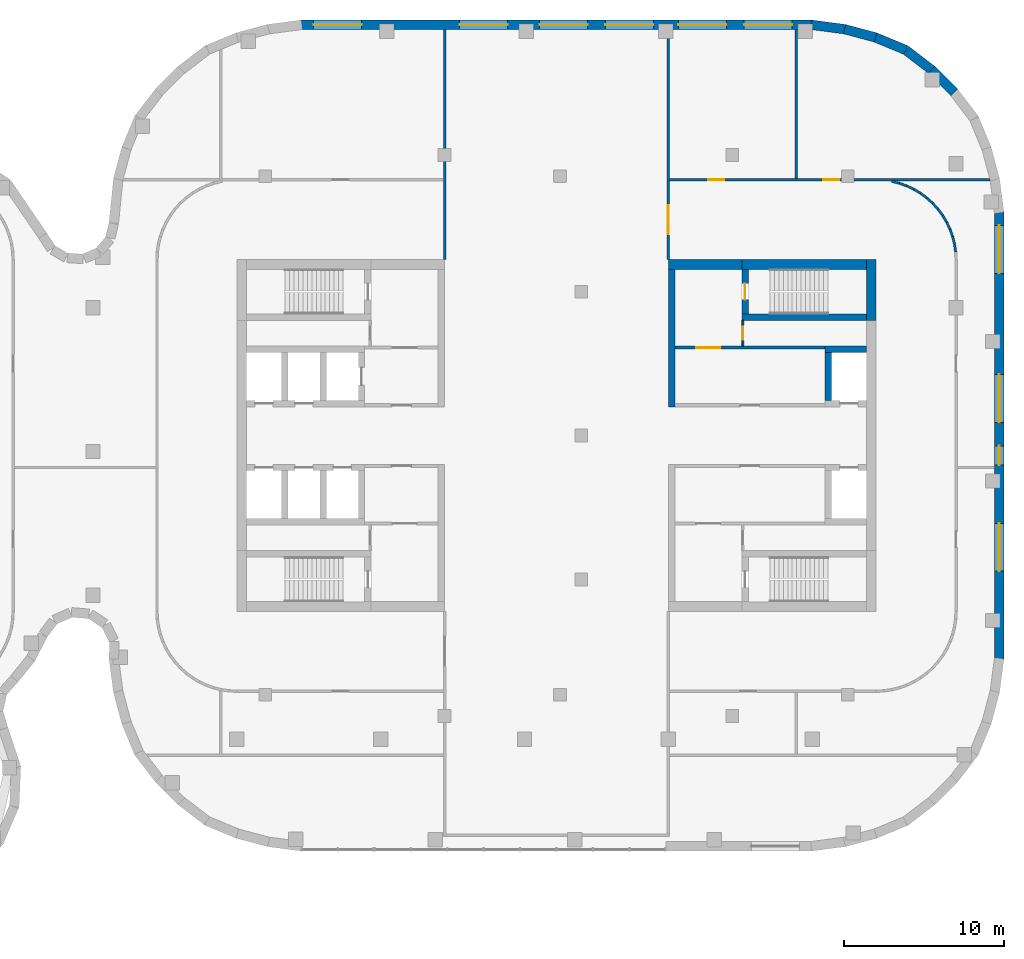
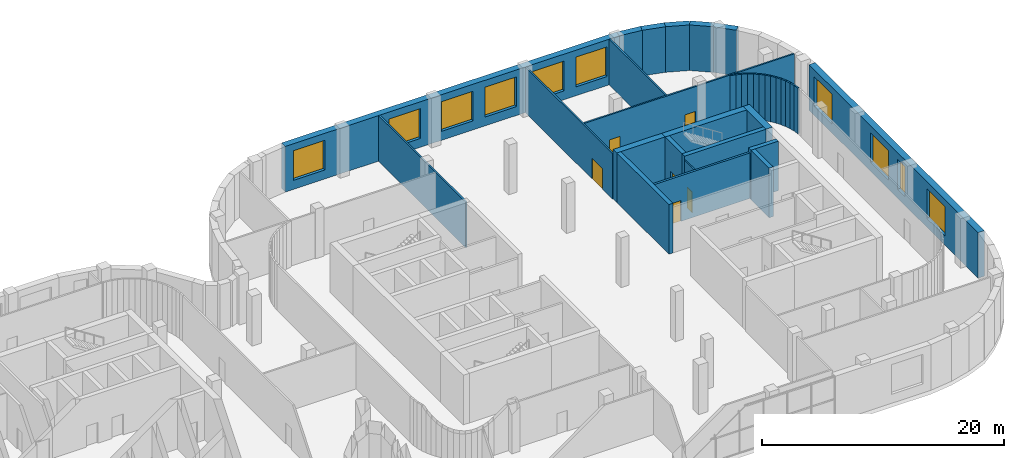
# One storey, part 21 of 25: 34 walls, 10 windows, 6 doors, 16 openings.
"""IFC4 building model written with IfcOpenShell, lengths in metres."""

from ifc_helpers import new_model, si_unit, direction, frame, frame_2d, origin, place, context, subcontext, project, spatial, rectangle, extrude, material, layer, layer_set, type_object, element, fill, save


model = new_model("IFC4")

# Units and contexts
model_context = context("Model", 3, precision=1e-05, world=origin(), true_north=direction((0.0, 1.0)))
body_context = subcontext(model_context, "Body", "Model", "MODEL_VIEW")
ifc_project = project(units=[si_unit("LENGTHUNIT", "METRE"), si_unit("AREAUNIT", "SQUARE_METRE"), si_unit("VOLUMEUNIT", "CUBIC_METRE"), si_unit("PLANEANGLEUNIT", "RADIAN"), si_unit("MASSUNIT", "GRAM", prefix="KILO")], contexts=[model_context])

# Site, building, storey
site_placement = place(None, origin())
site = spatial("IfcSite", under=ifc_project, at=site_placement, CompositionType="ELEMENT")
building_placement = place(site_placement, origin())
building = spatial("IfcBuilding", under=site, at=building_placement, Name="Skarvind Civic Tower", CompositionType="ELEMENT")
storey_placement = place(building_placement, frame((0.0, 0.0, 7.5)))
storey = spatial("IfcBuildingStorey", under=building, at=storey_placement, Name="L01", CompositionType="ELEMENT", Elevation=7.5)

# Wall, opening, door
ifc_material_1 = material(Name="Fire-rated masonry partition", Category="masonry")
ifc_layer_1 = layer(ifc_material_1, 0.199951171875)
ifc_layer_set_1 = layer_set([ifc_layer_1], Name="Core enclosure wall 200")
wall_type_1 = type_object("IfcWallType", Name="Core enclosure wall 200", PredefinedType="PARTITIONING", material=ifc_layer_set_1)
wall_1_placement = place(storey_placement, frame((154.39990234375, 133.5, 0.0), z_axis=(0.0, 0.0, 1.0), x_axis=(1.0, 0.0, 0.0)))
wall_1 = element("IfcWall", 1, at=wall_1_placement, inside=storey, type_object=wall_type_1, Name="Core wall CB", PredefinedType="PARTITIONING", context=body_context, shape_type="SweptSolid", body=[
    extrude(rectangle(XDim=9.400146484375, YDim=0.199951171875, at=frame_2d((4.7001953125, 0.0))), origin(), (0.0, 0.0, 1.0), 4.60009765625),
])
opening_1_placement = place(wall_1_placement, frame((1.35009765625, 0.0, 0.0)))
opening_1 = element("IfcOpeningElement", 2, at=opening_1_placement, cuts=wall_1, Name="Opening D-L01-CB-08", PredefinedType="OPENING", context=body_context, shape_type="SweptSolid", body=[
    extrude(rectangle(XDim=1.5, YDim=2.10009765625, at=frame_2d((0.75, 1.050048828125))), frame((0.0, 0.10986328125, 0.0), z_axis=(0.0, -1.0, 0.0), x_axis=(1.0, 0.0, 0.0)), (0.0, 0.0, 1.0), 0.219970703125),
])
ifc_material_2 = material(Name="Fire-rated steel door", Category="steel")
door_type_1 = type_object("IfcDoorType", Name="Fire door 1500", OperationType="NOTDEFINED", PredefinedType="DOOR", material=ifc_material_2)
door_1_placement = place(opening_1_placement, origin())
door_1 = element("IfcDoor", 3, at=door_1_placement, inside=storey, type_object=door_type_1, Name="Fire door", OperationType="DOUBLE_DOOR_SINGLE_SWING", OverallHeight=2.10009765625, OverallWidth=1.5, PredefinedType="DOOR", context=body_context, shape_type="SweptSolid", body=[
    extrude(rectangle(XDim=1.5, YDim=2.10009765625, at=frame_2d((0.75, 1.050048828125))), frame((0.0, 0.02490234375, 0.0), z_axis=(0.0, -1.0, 0.0), x_axis=(1.0, 0.0, 0.0)), (0.0, 0.0, 1.0), 0.050048828125),
])
fill(opening_1, door_1)

# Wall
ifc_material_3 = material(Name="Concrete C80", Category="concrete")
ifc_layer_2 = layer(ifc_material_3, 0.39990234375)
ifc_layer_set_2 = layer_set([ifc_layer_2], Name="Core wall 400 C80")
wall_type_2 = type_object("IfcWallType", Name="Core wall 400 C80", PredefinedType="SHEAR", material=ifc_layer_set_2)
wall_2_placement = place(storey_placement, frame((166.39990234375, 135.39990234375, 0.0), z_axis=(0.0, 0.0, 1.0), x_axis=(-1.0, 0.0, 0.0)))
element("IfcWall", 4, at=wall_2_placement, inside=storey, type_object=wall_type_2, Name="Core wall CB south stair inner L01", PredefinedType="SHEAR", context=body_context, shape_type="SweptSolid", body=[
    extrude(rectangle(XDim=7.7998046875, YDim=0.39990234375, at=frame_2d((3.89990234375, 0.0))), origin(), (0.0, 0.0, 1.0), 5.0),
])

# Wall, opening, door
wall_3_placement = place(storey_placement, frame((158.800048828125, 138.39990234375, 0.0), z_axis=(0.0, 0.0, 1.0), x_axis=(0.0, -1.0, 0.0)))
wall_3 = element("IfcWall", 5, at=wall_3_placement, inside=storey, type_object=wall_type_2, Name="Core wall CB south stair end L01", PredefinedType="SHEAR", context=body_context, shape_type="SweptSolid", body=[
    extrude(rectangle(XDim=2.7998046875, YDim=0.39990234375, at=frame_2d((1.39990234375, 0.0))), origin(), (0.0, 0.0, 1.0), 5.0),
])
opening_2_placement = place(wall_3_placement, frame((0.89990234375, 0.0, 0.0)))
opening_2 = element("IfcOpeningElement", 6, at=opening_2_placement, cuts=wall_3, Name="Opening D-L01-CB-09", PredefinedType="OPENING", context=body_context, shape_type="SweptSolid", body=[
    extrude(rectangle(XDim=1.0, YDim=2.10009765625, at=frame_2d((0.5, 1.050048828125))), frame((0.0, 0.2099609375, 0.0), z_axis=(0.0, -1.0, 0.0), x_axis=(1.0, 0.0, 0.0)), (0.0, 0.0, 1.0), 0.419921875),
])
door_type_2 = type_object("IfcDoorType", Name="Fire door 1000", OperationType="NOTDEFINED", PredefinedType="DOOR", material=ifc_material_2)
door_2_placement = place(opening_2_placement, origin())
door_2 = element("IfcDoor", 7, at=door_2_placement, inside=storey, type_object=door_type_2, Name="Fire door", OperationType="SINGLE_SWING_RIGHT", OverallHeight=2.10009765625, OverallWidth=1.0, PredefinedType="DOOR", context=body_context, shape_type="SweptSolid", body=[
    extrude(rectangle(XDim=1.0, YDim=2.10009765625, at=frame_2d((0.5, 1.050048828125))), frame((0.0, 0.02490234375, 0.0), z_axis=(0.0, -1.0, 0.0), x_axis=(1.0, 0.0, 0.0)), (0.0, 0.0, 1.0), 0.050048828125),
])
fill(opening_2, door_2)

# Walls
wall_4_placement = place(storey_placement, frame((166.39990234375, 133.39990234375, 0.0), z_axis=(0.0, 0.0, 1.0), x_axis=(-1.0, 0.0, 0.0)))
element("IfcWall", 8, at=wall_4_placement, inside=storey, type_object=wall_type_2, Name="Core wall CB south lift row back L01", PredefinedType="SHEAR", context=body_context, shape_type="SweptSolid", body=[
    extrude(rectangle(XDim=2.599853515625, YDim=0.39990234375, at=frame_2d((1.2998046875, 0.0))), origin(), (0.0, 0.0, 1.0), 5.0),
])
wall_5_placement = place(storey_placement, frame((164.0, 133.199951171875, 0.0), z_axis=(0.0, 0.0, 1.0), x_axis=(0.0, -1.0, 0.0)))
element("IfcWall", 9, at=wall_5_placement, inside=storey, type_object=wall_type_2, Name="Core wall CB south lift row division 1 L01", PredefinedType="SHEAR", context=body_context, shape_type="SweptSolid", body=[
    extrude(rectangle(XDim=3.0, YDim=0.39990234375, at=frame_2d((1.5, 0.0))), origin(), (0.0, 0.0, 1.0), 5.0),
])
wall_6_placement = place(storey_placement, frame((154.199951171875, 138.39990234375, 0.0), z_axis=(0.0, 0.0, 1.0), x_axis=(0.0, -1.0, 0.0)))
element("IfcWall", 10, at=wall_6_placement, inside=storey, type_object=wall_type_2, Name="Core wall CB south inner face L01", PredefinedType="SHEAR", context=body_context, shape_type="SweptSolid", body=[
    extrude(rectangle(XDim=8.599853515625, YDim=0.39990234375, at=frame_2d((4.2998046875, 0.0))), origin(), (0.0, 0.0, 1.0), 5.0),
])
ifc_layer_3 = layer(ifc_material_3, 0.60009765625)
ifc_layer_set_3 = layer_set([ifc_layer_3], Name="Core wall 600 C80")
wall_type_3 = type_object("IfcWallType", Name="Core wall 600 C80", PredefinedType="SHEAR", material=ifc_layer_set_3)
wall_7_placement = place(storey_placement, frame((166.699951171875, 139.0, 0.0), z_axis=(0.0, 0.0, 1.0), x_axis=(0.0, -1.0, 0.0)))
element("IfcWall", 11, at=wall_7_placement, inside=storey, type_object=wall_type_3, Name="Core wall CB tip at the south stair L01", PredefinedType="SHEAR", context=body_context, shape_type="SweptSolid", body=[
    extrude(rectangle(XDim=3.800048828125, YDim=0.60009765625, at=frame_2d((1.89990234375, 0.0))), origin(), (0.0, 0.0, 1.0), 5.0),
])
wall_8_placement = place(storey_placement, frame((166.39990234375, 138.699951171875, 0.0), z_axis=(0.0, 0.0, 1.0), x_axis=(-1.0, 0.0, 0.0)))
element("IfcWall", 12, at=wall_8_placement, inside=storey, type_object=wall_type_3, Name="Core wall CB south side at the stair L01", PredefinedType="SHEAR", context=body_context, shape_type="SweptSolid", body=[
    extrude(rectangle(XDim=7.7998046875, YDim=0.60009765625, at=frame_2d((3.89990234375, 0.0))), origin(), (0.0, 0.0, 1.0), 5.0),
])
wall_9_placement = place(storey_placement, frame((158.60009765625, 138.699951171875, 0.0), z_axis=(0.0, 0.0, 1.0), x_axis=(-1.0, 0.0, 0.0)))
element("IfcWall", 13, at=wall_9_placement, inside=storey, type_object=wall_type_3, Name="Core wall CB south side L01", PredefinedType="SHEAR", context=body_context, shape_type="SweptSolid", body=[
    extrude(rectangle(XDim=4.60009765625, YDim=0.60009765625, at=frame_2d((2.300048828125, 0.0))), origin(), (0.0, 0.0, 1.0), 5.0),
])
ifc_material_4 = material(Name="Plasterboard partition on steel studs", Category="steel")
ifc_layer_4 = layer(ifc_material_4, 0.14990234375)
ifc_layer_set_4 = layer_set([ifc_layer_4], Name="PARTITION 150")
wall_type_4 = type_object("IfcWallType", Name="PARTITION 150", PredefinedType="PARTITIONING", material=ifc_layer_set_4)
wall_10_placement = place(storey_placement, frame((140.0, 139.0, 0.0), z_axis=(0.0, 0.0, 1.0), x_axis=(0.0, 1.0, 0.0)))
element("IfcWall", 14, at=wall_10_placement, inside=storey, type_object=wall_type_4, Name="Podium partition L01 237", PredefinedType="PARTITIONING", context=body_context, shape_type="SweptSolid", body=[
    extrude(rectangle(XDim=14.39990234375, YDim=0.14990234375, at=frame_2d((7.199951171875, 0.0))), origin(), (0.0, 0.0, 1.0), 4.60009765625),
])

# Wall, opening, door
wall_11_placement = place(storey_placement, frame((154.0, 153.39990234375, 0.0), z_axis=(0.0, 0.0, 1.0), x_axis=(0.0, -1.0, 0.0)))
wall_11 = element("IfcWall", 15, at=wall_11_placement, inside=storey, type_object=wall_type_4, Name="Podium partition L01 241", PredefinedType="PARTITIONING", context=body_context, shape_type="SweptSolid", body=[
    extrude(rectangle(XDim=14.39990234375, YDim=0.14990234375, at=frame_2d((7.199951171875, 0.0))), origin(), (0.0, 0.0, 1.0), 4.60009765625),
])
opening_3_placement = place(wall_11_placement, frame((11.0, 0.0, 0.0)))
opening_3 = element("IfcOpeningElement", 16, at=opening_3_placement, cuts=wall_11, Name="Opening L01-D231", PredefinedType="OPENING", context=body_context, shape_type="SweptSolid", body=[
    extrude(rectangle(XDim=1.800048828125, YDim=2.10009765625, at=frame_2d((0.89990234375, 1.050048828125))), frame((0.0, 0.0849609375, 0.0), z_axis=(0.0, -1.0, 0.0), x_axis=(1.0, 0.0, 0.0)), (0.0, 0.0, 1.0), 0.169921875),
])
ifc_material_5 = material(Name="Timber veneer door leaf", Category="wood")
door_type_3 = type_object("IfcDoorType", Name="DOOR 1800X2100 DOUBLE TIMBER", OperationType="NOTDEFINED", PredefinedType="DOOR", material=ifc_material_5)
door_3_placement = place(opening_3_placement, origin())
door_3 = element("IfcDoor", 17, at=door_3_placement, inside=storey, type_object=door_type_3, Name="DOOR DOOR", OperationType="DOUBLE_DOOR_SINGLE_SWING", OverallHeight=2.10009765625, OverallWidth=1.800048828125, PredefinedType="DOOR", context=body_context, shape_type="SweptSolid", body=[
    extrude(rectangle(XDim=1.800048828125, YDim=2.10009765625, at=frame_2d((0.89990234375, 1.050048828125))), frame((0.0, 0.02490234375, 0.0), z_axis=(0.0, -1.0, 0.0), x_axis=(1.0, 0.0, 0.0)), (0.0, 0.0, 1.0), 0.050048828125),
])
fill(opening_3, door_3)

# Wall, openings, doors
wall_12_placement = place(storey_placement, frame((154.074951171875, 144.0, 0.0), z_axis=(0.0, 0.0, 1.0), x_axis=(1.0, 0.0, 0.0)))
wall_12 = element("IfcWall", 18, at=wall_12_placement, inside=storey, type_object=wall_type_4, Name="Podium partition L01 242", PredefinedType="PARTITIONING", context=body_context, shape_type="SweptSolid", body=[
    extrude(rectangle(XDim=20.050048828125, YDim=0.14990234375, at=frame_2d((10.02490234375, 0.0))), origin(), (0.0, 0.0, 1.0), 4.60009765625),
])
opening_4_placement = place(wall_12_placement, frame((2.427001953125, 0.0, 0.0)))
opening_4 = element("IfcOpeningElement", 19, at=opening_4_placement, cuts=wall_12, Name="Opening L01-D232", PredefinedType="OPENING", context=body_context, shape_type="SweptSolid", body=[
    extrude(rectangle(XDim=1.0, YDim=2.10009765625, at=frame_2d((0.5, 1.050048828125))), frame((0.0, 0.0849609375, 0.0), z_axis=(0.0, -1.0, 0.0), x_axis=(1.0, 0.0, 0.0)), (0.0, 0.0, 1.0), 0.169921875),
])
opening_5_placement = place(wall_12_placement, frame((9.623046875, 0.0, 0.0)))
opening_5 = element("IfcOpeningElement", 20, at=opening_5_placement, cuts=wall_12, Name="Opening L01-D234", PredefinedType="OPENING", context=body_context, shape_type="SweptSolid", body=[
    extrude(rectangle(XDim=1.0, YDim=2.10009765625, at=frame_2d((0.5, 1.050048828125))), frame((0.0, 0.0849609375, 0.0), z_axis=(0.0, -1.0, 0.0), x_axis=(1.0, 0.0, 0.0)), (0.0, 0.0, 1.0), 0.169921875),
])
door_type_4 = type_object("IfcDoorType", Name="DOOR 1000X2100 TIMBER", OperationType="NOTDEFINED", PredefinedType="DOOR", material=ifc_material_5)
door_4_placement = place(opening_4_placement, origin())
door_4 = element("IfcDoor", 21, at=door_4_placement, inside=storey, type_object=door_type_4, Name="DOOR DOOR", OperationType="SINGLE_SWING_LEFT", OverallHeight=2.10009765625, OverallWidth=1.0, PredefinedType="DOOR", context=body_context, shape_type="SweptSolid", body=[
    extrude(rectangle(XDim=1.0, YDim=2.10009765625, at=frame_2d((0.5, 1.050048828125))), frame((0.0, 0.02490234375, 0.0), z_axis=(0.0, -1.0, 0.0), x_axis=(1.0, 0.0, 0.0)), (0.0, 0.0, 1.0), 0.050048828125),
])
fill(opening_4, door_4)
door_5_placement = place(opening_5_placement, origin())
door_5 = element("IfcDoor", 22, at=door_5_placement, inside=storey, type_object=door_type_4, Name="DOOR DOOR", OperationType="SINGLE_SWING_LEFT", OverallHeight=2.10009765625, OverallWidth=1.0, PredefinedType="DOOR", context=body_context, shape_type="SweptSolid", body=[
    extrude(rectangle(XDim=1.0, YDim=2.10009765625, at=frame_2d((0.5, 1.050048828125))), frame((0.0, 0.02490234375, 0.0), z_axis=(0.0, -1.0, 0.0), x_axis=(1.0, 0.0, 0.0)), (0.0, 0.0, 1.0), 0.050048828125),
])
fill(opening_5, door_5)

# Walls
wall_13_placement = place(storey_placement, frame((162.0, 144.074951171875, 0.0), z_axis=(0.0, 0.0, 1.0), x_axis=(0.0, 1.0, 0.0)))
element("IfcWall", 23, at=wall_13_placement, inside=storey, type_object=wall_type_4, Name="Podium partition L01 244", PredefinedType="PARTITIONING", context=body_context, shape_type="SweptSolid", body=[
    extrude(rectangle(XDim=9.324951171875, YDim=0.14990234375, at=frame_2d((4.66259765625, 0.0))), origin(), (0.0, 0.0, 1.0), 4.60009765625),
])
wall_14_placement = place(storey_placement, frame((167.970947265625, 143.905029296875, 0.0), z_axis=(0.0, 0.0, 1.0), x_axis=(0.970113715952, -0.242650732785, 0.0)))
element("IfcWall", 24, at=wall_14_placement, inside=storey, type_object=wall_type_4, Name="Podium partition L01 251", PredefinedType="PARTITIONING", context=body_context, shape_type="SweptSolid", body=[
    extrude(rectangle(XDim=0.4990234375, YDim=0.14990234375, at=frame_2d((0.24951171875, 0.0))), origin(), (0.0, 0.0, 1.0), 4.60009765625),
])
for number, where, z_axis, x_axis, name in (
    (25, (168.447021484375, 143.785888671875, 0.0), (0.0, 0.0, 1.0), (0.941442168887, -0.3371744988, 0.0), "Podium partition L01 253"),
    (26, (168.909912109375, 143.62109375, 0.0), (0.0, 0.0, 1.0), (0.903827641978, -0.427896709028, 0.0), "Podium partition L01 255"),
):
    element("IfcWall", number, at=place(storey_placement, frame(where, z_axis=z_axis, x_axis=x_axis)), inside=storey, type_object=wall_type_4, Name=name, PredefinedType="PARTITIONING", context=body_context, shape_type="SweptSolid", body=[
        extrude(rectangle(XDim=0.498046875, YDim=0.14990234375, at=frame_2d((0.2490234375, 0.0))), origin(), (0.0, 0.0, 1.0), 4.60009765625),
    ])
wall_15_placement = place(storey_placement, frame((169.35400390625, 143.412109375, 0.0), z_axis=(0.0, 0.0, 1.0), x_axis=(0.85671397893, -0.515791778052, 0.0)))
element("IfcWall", 27, at=wall_15_placement, inside=storey, type_object=wall_type_4, Name="Podium partition L01 257", PredefinedType="PARTITIONING", context=body_context, shape_type="SweptSolid", body=[
    extrude(rectangle(XDim=0.49853515625, YDim=0.14990234375, at=frame_2d((0.249267578125, 0.0))), origin(), (0.0, 0.0, 1.0), 4.60009765625),
])
wall_16_placement = place(storey_placement, frame((169.77490234375, 143.158935546875, 0.0), z_axis=(0.0, 0.0, 1.0), x_axis=(0.80404358372, -0.594570362092, 0.0)))
element("IfcWall", 28, at=wall_16_placement, inside=storey, type_object=wall_type_4, Name="Podium partition L01 259", PredefinedType="PARTITIONING", context=body_context, shape_type="SweptSolid", body=[
    extrude(rectangle(XDim=0.49755859375, YDim=0.14990234375, at=frame_2d((0.248779296875, 0.0))), origin(), (0.0, 0.0, 1.0), 4.60009765625),
])
for number, where, z_axis, x_axis, name in (
    (29, (170.1689453125, 142.866943359375, 0.0), (0.0, 0.0, 1.0), (0.742416880587, -0.66993818776, 0.0), "Podium partition L01 261"),
    (30, (170.532958984375, 142.5390625, 0.0), (0.0, 0.0, 1.0), (0.66993818776, -0.742416880587, 0.0), "Podium partition L01 263"),
):
    element("IfcWall", number, at=place(storey_placement, frame(where, z_axis=z_axis, x_axis=x_axis)), inside=storey, type_object=wall_type_4, Name=name, PredefinedType="PARTITIONING", context=body_context, shape_type="SweptSolid", body=[
        extrude(rectangle(XDim=0.49853515625, YDim=0.14990234375, at=frame_2d((0.249267578125, 0.0))), origin(), (0.0, 0.0, 1.0), 4.60009765625),
    ])
wall_17_placement = place(storey_placement, frame((170.863037109375, 142.175048828125, 0.0), z_axis=(0.0, 0.0, 1.0), x_axis=(0.594570362092, -0.80404358372, 0.0)))
element("IfcWall", 31, at=wall_17_placement, inside=storey, type_object=wall_type_4, Name="Podium partition L01 265", PredefinedType="PARTITIONING", context=body_context, shape_type="SweptSolid", body=[
    extrude(rectangle(XDim=0.49755859375, YDim=0.14990234375, at=frame_2d((0.248779296875, 0.0))), origin(), (0.0, 0.0, 1.0), 4.60009765625),
])
wall_18_placement = place(storey_placement, frame((171.155029296875, 141.781005859375, 0.0), z_axis=(0.0, 0.0, 1.0), x_axis=(0.515791778052, -0.85671397893, 0.0)))
element("IfcWall", 32, at=wall_18_placement, inside=storey, type_object=wall_type_4, Name="Podium partition L01 267", PredefinedType="PARTITIONING", context=body_context, shape_type="SweptSolid", body=[
    extrude(rectangle(XDim=0.49853515625, YDim=0.14990234375, at=frame_2d((0.249267578125, 0.0))), origin(), (0.0, 0.0, 1.0), 4.60009765625),
])
for number, where, z_axis, x_axis, name in (
    (33, (171.407958984375, 141.360107421875, 0.0), (0.0, 0.0, 1.0), (0.427896709028, -0.903827641978, 0.0), "Podium partition L01 269"),
    (34, (171.617919921875, 140.916015625, 0.0), (0.0, 0.0, 1.0), (0.3371744988, -0.941442168887, 0.0), "Podium partition L01 271"),
):
    element("IfcWall", number, at=place(storey_placement, frame(where, z_axis=z_axis, x_axis=x_axis)), inside=storey, type_object=wall_type_4, Name=name, PredefinedType="PARTITIONING", context=body_context, shape_type="SweptSolid", body=[
        extrude(rectangle(XDim=0.498046875, YDim=0.14990234375, at=frame_2d((0.2490234375, 0.0))), origin(), (0.0, 0.0, 1.0), 4.60009765625),
    ])
wall_19_placement = place(storey_placement, frame((171.783935546875, 140.455078125, 0.0), z_axis=(0.0, 0.0, 1.0), x_axis=(0.242650732785, -0.970113715952, 0.0)))
element("IfcWall", 35, at=wall_19_placement, inside=storey, type_object=wall_type_4, Name="Podium partition L01 273", PredefinedType="PARTITIONING", context=body_context, shape_type="SweptSolid", body=[
    extrude(rectangle(XDim=0.4990234375, YDim=0.14990234375, at=frame_2d((0.24951171875, 0.0))), origin(), (0.0, 0.0, 1.0), 4.60009765625),
])
wall_20_placement = place(storey_placement, frame((171.903076171875, 139.97900390625, 0.0), z_axis=(0.0, 0.0, 1.0), x_axis=(0.148412307247, -0.988925572052, 0.0)))
element("IfcWall", 36, at=wall_20_placement, inside=storey, type_object=wall_type_4, Name="Podium partition L01 275", PredefinedType="PARTITIONING", context=body_context, shape_type="SweptSolid", body=[
    extrude(rectangle(XDim=0.49853515625, YDim=0.14990234375, at=frame_2d((0.249267578125, 0.0))), origin(), (0.0, 0.0, 1.0), 4.60009765625),
])

# Wall, opening, door
ifc_layer_5 = layer(ifc_material_1, 0.125)
ifc_layer_set_5 = layer_set([ifc_layer_5], Name="Riser wall 125")
wall_type_5 = type_object("IfcWallType", Name="Riser wall 125", PredefinedType="PARTITIONING", material=ifc_layer_set_5)
wall_21_placement = place(storey_placement, frame((158.66259765625, 133.60009765625, 0.0), z_axis=(0.0, 0.0, 1.0), x_axis=(0.0, 1.0, 0.0)))
wall_21 = element("IfcWall", 37, at=wall_21_placement, inside=storey, type_object=wall_type_5, Name="Core wall CB", PredefinedType="PARTITIONING", context=body_context, shape_type="SweptSolid", body=[
    extrude(rectangle(XDim=1.599853515625, YDim=0.125, at=frame_2d((0.7998046875, 0.0))), origin(), (0.0, 0.0, 1.0), 4.60009765625),
])
opening_6_placement = place(wall_21_placement, frame((0.39990234375, 0.0, 0.0)))
opening_6 = element("IfcOpeningElement", 38, at=opening_6_placement, cuts=wall_21, Name="Opening D-L01-CB-10", PredefinedType="OPENING", context=body_context, shape_type="SweptSolid", body=[
    extrude(rectangle(XDim=0.800048828125, YDim=2.10009765625, at=frame_2d((0.39990234375, 1.050048828125))), frame((0.0, 0.072509765625, 0.0), z_axis=(0.0, -1.0, 0.0), x_axis=(1.0, 0.0, 0.0)), (0.0, 0.0, 1.0), 0.14501953125),
])
door_type_5 = type_object("IfcDoorType", Name="Core riser door 800", OperationType="NOTDEFINED", PredefinedType="DOOR", material=ifc_material_2)
door_6_placement = place(opening_6_placement, origin())
door_6 = element("IfcDoor", 39, at=door_6_placement, inside=storey, type_object=door_type_5, Name="Riser door", OperationType="SINGLE_SWING_LEFT", OverallHeight=2.10009765625, OverallWidth=0.800048828125, PredefinedType="DOOR", context=body_context, shape_type="SweptSolid", body=[
    extrude(rectangle(XDim=0.800048828125, YDim=2.10009765625, at=frame_2d((0.39990234375, 1.050048828125))), frame((0.0, 0.02490234375, 0.0), z_axis=(0.0, -1.0, 0.0), x_axis=(1.0, 0.0, 0.0)), (0.0, 0.0, 1.0), 0.050048828125),
])
fill(opening_6, door_6)

# Wall, openings, windows
ifc_material_6 = material(Name="Limestone masonry cladding on insulated backing", Category="masonry")
ifc_layer_6 = layer(ifc_material_6, 0.60009765625)
ifc_layer_set_6 = layer_set([ifc_layer_6], Name="WX1 STONE FACADE WALL 600")
wall_type_6 = type_object("IfcWallType", Name="WX1 STONE FACADE WALL 600", PredefinedType="SOLIDWALL", material=ifc_layer_set_6)
wall_22_placement = place(storey_placement, frame((174.699951171875, 141.978271484375, 0.0), z_axis=(0.0, 0.0, 1.0), x_axis=(0.0, -1.0, 0.0)))
wall_22 = element("IfcWall", 40, at=wall_22_placement, inside=storey, type_object=wall_type_6, Name="STONE FACADE WALL", PredefinedType="SOLIDWALL", context=body_context, shape_type="SweptSolid", body=[
    extrude(rectangle(XDim=27.95654296875, YDim=0.60009765625, at=frame_2d((13.978271484375, 0.0))), origin(), (0.0, 0.0, 1.0), 4.60009765625),
])
opening_7_placement = place(wall_22_placement, frame((0.82958984375, 0.0, 0.89990234375)))
opening_7 = element("IfcOpeningElement", 41, at=opening_7_placement, cuts=wall_22, Name="Opening WN2", PredefinedType="OPENING", context=body_context, shape_type="SweptSolid", body=[
    extrude(rectangle(XDim=3.0, YDim=3.0, at=frame_2d((1.5, 1.5))), frame((0.0, 0.31005859375, 0.0), z_axis=(0.0, -1.0, 0.0), x_axis=(1.0, 0.0, 0.0)), (0.0, 0.0, 1.0), 0.6201171875),
])
opening_8_placement = place(wall_22_placement, frame((10.1484375, 0.0, 0.89990234375)))
opening_8 = element("IfcOpeningElement", 42, at=opening_8_placement, cuts=wall_22, Name="Opening WN2", PredefinedType="OPENING", context=body_context, shape_type="SweptSolid", body=[
    extrude(rectangle(XDim=3.0, YDim=3.0, at=frame_2d((1.5, 1.5))), frame((0.0, 0.31005859375, 0.0), z_axis=(0.0, -1.0, 0.0), x_axis=(1.0, 0.0, 0.0)), (0.0, 0.0, 1.0), 0.6201171875),
])
opening_9_placement = place(wall_22_placement, frame((14.628173828125, 0.0, 0.89990234375)))
opening_9 = element("IfcOpeningElement", 43, at=opening_9_placement, cuts=wall_22, Name="Opening WN6", PredefinedType="OPENING", context=body_context, shape_type="SweptSolid", body=[
    extrude(rectangle(XDim=1.199951171875, YDim=3.0, at=frame_2d((0.60009765625, 1.5))), frame((0.0, 0.31005859375, 0.0), z_axis=(0.0, -1.0, 0.0), x_axis=(1.0, 0.0, 0.0)), (0.0, 0.0, 1.0), 0.6201171875),
])
opening_10_placement = place(wall_22_placement, frame((19.46728515625, 0.0, 0.89990234375)))
opening_10 = element("IfcOpeningElement", 44, at=opening_10_placement, cuts=wall_22, Name="Opening WN2", PredefinedType="OPENING", context=body_context, shape_type="SweptSolid", body=[
    extrude(rectangle(XDim=3.0, YDim=3.0, at=frame_2d((1.5, 1.5))), frame((0.0, 0.31005859375, 0.0), z_axis=(0.0, -1.0, 0.0), x_axis=(1.0, 0.0, 0.0)), (0.0, 0.0, 1.0), 0.6201171875),
])
ifc_material_7 = material(Name="Timber frame, double glazing, timber-lined reveal", Category="wood")
window_type_1 = type_object("IfcWindowType", Name="WN2 PODIUM STONE WINDOW 3000 x 3000", PartitioningType="SINGLE_PANEL", PredefinedType="WINDOW", material=ifc_material_7)
window_1_placement = place(opening_7_placement, origin())
window_1 = element("IfcWindow", 45, at=window_1_placement, inside=storey, type_object=window_type_1, Name="WN2 WINDOW", OverallHeight=3.0, OverallWidth=3.0, PartitioningType="SINGLE_PANEL", PredefinedType="WINDOW", context=body_context, shape_type="SweptSolid", body=[
    extrude(rectangle(XDim=3.0, YDim=3.0, at=frame_2d((1.5, 1.5))), frame((0.0, 0.030029296875, 0.0), z_axis=(0.0, -1.0, 0.0), x_axis=(1.0, 0.0, 0.0)), (0.0, 0.0, 1.0), 0.06005859375),
])
fill(opening_7, window_1)
window_2_placement = place(opening_8_placement, origin())
window_2 = element("IfcWindow", 46, at=window_2_placement, inside=storey, type_object=window_type_1, Name="WN2 WINDOW", OverallHeight=3.0, OverallWidth=3.0, PartitioningType="SINGLE_PANEL", PredefinedType="WINDOW", context=body_context, shape_type="SweptSolid", body=[
    extrude(rectangle(XDim=3.0, YDim=3.0, at=frame_2d((1.5, 1.5))), frame((0.0, 0.030029296875, 0.0), z_axis=(0.0, -1.0, 0.0), x_axis=(1.0, 0.0, 0.0)), (0.0, 0.0, 1.0), 0.06005859375),
])
fill(opening_8, window_2)
window_3_placement = place(opening_10_placement, origin())
window_3 = element("IfcWindow", 47, at=window_3_placement, inside=storey, type_object=window_type_1, Name="WN2 WINDOW", OverallHeight=3.0, OverallWidth=3.0, PartitioningType="SINGLE_PANEL", PredefinedType="WINDOW", context=body_context, shape_type="SweptSolid", body=[
    extrude(rectangle(XDim=3.0, YDim=3.0, at=frame_2d((1.5, 1.5))), frame((0.0, 0.030029296875, 0.0), z_axis=(0.0, -1.0, 0.0), x_axis=(1.0, 0.0, 0.0)), (0.0, 0.0, 1.0), 0.06005859375),
])
fill(opening_10, window_3)
window_type_2 = type_object("IfcWindowType", Name="WN6 NARROW PODIUM WINDOW 1200 x 3000", PartitioningType="SINGLE_PANEL", PredefinedType="WINDOW", material=ifc_material_7)
window_4_placement = place(opening_9_placement, origin())
window_4 = element("IfcWindow", 48, at=window_4_placement, inside=storey, type_object=window_type_2, Name="WN6 WINDOW", OverallHeight=3.0, OverallWidth=1.199951171875, PartitioningType="SINGLE_PANEL", PredefinedType="WINDOW", context=body_context, shape_type="SweptSolid", body=[
    extrude(rectangle(XDim=1.199951171875, YDim=3.0, at=frame_2d((0.60009765625, 1.5))), frame((0.0, 0.030029296875, 0.0), z_axis=(0.0, -1.0, 0.0), x_axis=(1.0, 0.0, 0.0)), (0.0, 0.0, 1.0), 0.06005859375),
])
fill(opening_9, window_4)

# Walls
wall_23_placement = place(storey_placement, frame((170.463134765625, 150.890380859375, 0.0), z_axis=(0.0, 0.0, 1.0), x_axis=(0.707106781187, -0.707106781187, 0.0)))
element("IfcWall", 49, at=wall_23_placement, inside=storey, type_object=wall_type_6, Name="STONE FACADE WALL", PredefinedType="SOLIDWALL", context=body_context, shape_type="SweptSolid", body=[
    extrude(rectangle(XDim=2.018310546875, YDim=0.60009765625, at=frame_2d((1.00927734375, 0.0))), origin(), (0.0, 0.0, 1.0), 4.60009765625),
])
wall_24_placement = place(storey_placement, frame((168.87158203125, 152.109375, 0.0), z_axis=(0.0, 0.0, 1.0), x_axis=(0.793125485267, -0.609058260448, 0.0)))
element("IfcWall", 50, at=wall_24_placement, inside=storey, type_object=wall_type_6, Name="STONE FACADE WALL", PredefinedType="SOLIDWALL", context=body_context, shape_type="SweptSolid", body=[
    extrude(rectangle(XDim=2.0439453125, YDim=0.60009765625, at=frame_2d((1.02197265625, 0.0))), origin(), (0.0, 0.0, 1.0), 4.60009765625),
])
wall_25_placement = place(storey_placement, frame((166.9306640625, 152.921142578125, 0.0), z_axis=(0.0, 0.0, 1.0), x_axis=(0.924006983526, -0.382375593358, 0.0)))
element("IfcWall", 51, at=wall_25_placement, inside=storey, type_object=wall_type_6, Name="STONE FACADE WALL", PredefinedType="SOLIDWALL", context=body_context, shape_type="SweptSolid", body=[
    extrude(rectangle(XDim=2.114013671875, YDim=0.60009765625, at=frame_2d((1.05712890625, 0.0))), origin(), (0.0, 0.0, 1.0), 4.60009765625),
])
wall_26_placement = place(storey_placement, frame((165.013916015625, 153.431884765625, 0.0), z_axis=(0.0, 0.0, 1.0), x_axis=(0.965929732323, -0.258804467146, 0.0)))
element("IfcWall", 52, at=wall_26_placement, inside=storey, type_object=wall_type_6, Name="STONE FACADE WALL", PredefinedType="SOLIDWALL", context=body_context, shape_type="SweptSolid", body=[
    extrude(rectangle(XDim=2.0224609375, YDim=0.60009765625, at=frame_2d((1.01123046875, 0.0))), origin(), (0.0, 0.0, 1.0), 4.60009765625),
])
wall_27_placement = place(storey_placement, frame((162.93896484375, 153.70263671875, 0.0), z_axis=(0.0, 0.0, 1.0), x_axis=(0.991440646942, -0.130558200013, 0.0)))
element("IfcWall", 53, at=wall_27_placement, inside=storey, type_object=wall_type_6, Name="STONE FACADE WALL", PredefinedType="SOLIDWALL", context=body_context, shape_type="SweptSolid", body=[
    extrude(rectangle(XDim=2.1318359375, YDim=0.60009765625, at=frame_2d((1.06591796875, 0.0))), origin(), (0.0, 0.0, 1.0), 4.60009765625),
])

# Wall, openings, windows
wall_28_placement = place(storey_placement, frame((131.021728515625, 153.699951171875, 0.0), z_axis=(0.0, 0.0, 1.0), x_axis=(1.0, 0.0, 0.0)))
wall_28 = element("IfcWall", 54, at=wall_28_placement, inside=storey, type_object=wall_type_6, Name="STONE FACADE WALL", PredefinedType="SOLIDWALL", context=body_context, shape_type="SweptSolid", body=[
    extrude(rectangle(XDim=31.95654296875, YDim=0.60009765625, at=frame_2d((15.978271484375, 0.0))), origin(), (0.0, 0.0, 1.0), 4.60009765625),
])
opening_11_placement = place(wall_28_placement, frame((0.78271484375, 0.0, 0.89990234375)))
opening_11 = element("IfcOpeningElement", 55, at=opening_11_placement, cuts=wall_28, Name="Opening WN2", PredefinedType="OPENING", context=body_context, shape_type="SweptSolid", body=[
    extrude(rectangle(XDim=3.0, YDim=3.0, at=frame_2d((1.5, 1.5))), frame((0.0, 0.31005859375, 0.0), z_axis=(0.0, -1.0, 0.0), x_axis=(1.0, 0.0, 0.0)), (0.0, 0.0, 1.0), 0.6201171875),
])
opening_12_placement = place(wall_28_placement, frame((9.9130859375, 0.0, 0.89990234375)))
opening_12 = element("IfcOpeningElement", 56, at=opening_12_placement, cuts=wall_28, Name="Opening WN2", PredefinedType="OPENING", context=body_context, shape_type="SweptSolid", body=[
    extrude(rectangle(XDim=3.0, YDim=3.0, at=frame_2d((1.5, 1.5))), frame((0.0, 0.31005859375, 0.0), z_axis=(0.0, -1.0, 0.0), x_axis=(1.0, 0.0, 0.0)), (0.0, 0.0, 1.0), 0.6201171875),
])
opening_13_placement = place(wall_28_placement, frame((14.92822265625, 0.0, 0.89990234375)))
opening_13 = element("IfcOpeningElement", 57, at=opening_13_placement, cuts=wall_28, Name="Opening WN2", PredefinedType="OPENING", context=body_context, shape_type="SweptSolid", body=[
    extrude(rectangle(XDim=3.0, YDim=3.0, at=frame_2d((1.5, 1.5))), frame((0.0, 0.31005859375, 0.0), z_axis=(0.0, -1.0, 0.0), x_axis=(1.0, 0.0, 0.0)), (0.0, 0.0, 1.0), 0.6201171875),
])
opening_14_placement = place(wall_28_placement, frame((19.04345703125, 0.0, 0.89990234375)))
opening_14 = element("IfcOpeningElement", 58, at=opening_14_placement, cuts=wall_28, Name="Opening WN2", PredefinedType="OPENING", context=body_context, shape_type="SweptSolid", body=[
    extrude(rectangle(XDim=3.0, YDim=3.0, at=frame_2d((1.5, 1.5))), frame((0.0, 0.31005859375, 0.0), z_axis=(0.0, -1.0, 0.0), x_axis=(1.0, 0.0, 0.0)), (0.0, 0.0, 1.0), 0.6201171875),
])
opening_15_placement = place(wall_28_placement, frame((23.608642578125, 0.0, 0.89990234375)))
opening_15 = element("IfcOpeningElement", 59, at=opening_15_placement, cuts=wall_28, Name="Opening WN2", PredefinedType="OPENING", context=body_context, shape_type="SweptSolid", body=[
    extrude(rectangle(XDim=3.0, YDim=3.0, at=frame_2d((1.5, 1.5))), frame((0.0, 0.31005859375, 0.0), z_axis=(0.0, -1.0, 0.0), x_axis=(1.0, 0.0, 0.0)), (0.0, 0.0, 1.0), 0.6201171875),
])
opening_16_placement = place(wall_28_placement, frame((27.723876953125, 0.0, 0.89990234375)))
opening_16 = element("IfcOpeningElement", 60, at=opening_16_placement, cuts=wall_28, Name="Opening WN2", PredefinedType="OPENING", context=body_context, shape_type="SweptSolid", body=[
    extrude(rectangle(XDim=3.0, YDim=3.0, at=frame_2d((1.5, 1.5))), frame((0.0, 0.31005859375, 0.0), z_axis=(0.0, -1.0, 0.0), x_axis=(1.0, 0.0, 0.0)), (0.0, 0.0, 1.0), 0.6201171875),
])
window_5_placement = place(opening_11_placement, origin())
window_5 = element("IfcWindow", 61, at=window_5_placement, inside=storey, type_object=window_type_1, Name="WN2 WINDOW", OverallHeight=3.0, OverallWidth=3.0, PartitioningType="SINGLE_PANEL", PredefinedType="WINDOW", context=body_context, shape_type="SweptSolid", body=[
    extrude(rectangle(XDim=3.0, YDim=3.0, at=frame_2d((1.5, 1.5))), frame((0.0, 0.030029296875, 0.0), z_axis=(0.0, -1.0, 0.0), x_axis=(1.0, 0.0, 0.0)), (0.0, 0.0, 1.0), 0.06005859375),
])
fill(opening_11, window_5)
window_6_placement = place(opening_12_placement, origin())
window_6 = element("IfcWindow", 62, at=window_6_placement, inside=storey, type_object=window_type_1, Name="WN2 WINDOW", OverallHeight=3.0, OverallWidth=3.0, PartitioningType="SINGLE_PANEL", PredefinedType="WINDOW", context=body_context, shape_type="SweptSolid", body=[
    extrude(rectangle(XDim=3.0, YDim=3.0, at=frame_2d((1.5, 1.5))), frame((0.0, 0.030029296875, 0.0), z_axis=(0.0, -1.0, 0.0), x_axis=(1.0, 0.0, 0.0)), (0.0, 0.0, 1.0), 0.06005859375),
])
fill(opening_12, window_6)
window_7_placement = place(opening_13_placement, origin())
window_7 = element("IfcWindow", 63, at=window_7_placement, inside=storey, type_object=window_type_1, Name="WN2 WINDOW", OverallHeight=3.0, OverallWidth=3.0, PartitioningType="SINGLE_PANEL", PredefinedType="WINDOW", context=body_context, shape_type="SweptSolid", body=[
    extrude(rectangle(XDim=3.0, YDim=3.0, at=frame_2d((1.5, 1.5))), frame((0.0, 0.030029296875, 0.0), z_axis=(0.0, -1.0, 0.0), x_axis=(1.0, 0.0, 0.0)), (0.0, 0.0, 1.0), 0.06005859375),
])
fill(opening_13, window_7)
window_8_placement = place(opening_14_placement, origin())
window_8 = element("IfcWindow", 64, at=window_8_placement, inside=storey, type_object=window_type_1, Name="WN2 WINDOW", OverallHeight=3.0, OverallWidth=3.0, PartitioningType="SINGLE_PANEL", PredefinedType="WINDOW", context=body_context, shape_type="SweptSolid", body=[
    extrude(rectangle(XDim=3.0, YDim=3.0, at=frame_2d((1.5, 1.5))), frame((0.0, 0.030029296875, 0.0), z_axis=(0.0, -1.0, 0.0), x_axis=(1.0, 0.0, 0.0)), (0.0, 0.0, 1.0), 0.06005859375),
])
fill(opening_14, window_8)
window_9_placement = place(opening_15_placement, origin())
window_9 = element("IfcWindow", 65, at=window_9_placement, inside=storey, type_object=window_type_1, Name="WN2 WINDOW", OverallHeight=3.0, OverallWidth=3.0, PartitioningType="SINGLE_PANEL", PredefinedType="WINDOW", context=body_context, shape_type="SweptSolid", body=[
    extrude(rectangle(XDim=3.0, YDim=3.0, at=frame_2d((1.5, 1.5))), frame((0.0, 0.030029296875, 0.0), z_axis=(0.0, -1.0, 0.0), x_axis=(1.0, 0.0, 0.0)), (0.0, 0.0, 1.0), 0.06005859375),
])
fill(opening_15, window_9)
window_10_placement = place(opening_16_placement, origin())
window_10 = element("IfcWindow", 66, at=window_10_placement, inside=storey, type_object=window_type_1, Name="WN2 WINDOW", OverallHeight=3.0, OverallWidth=3.0, PartitioningType="SINGLE_PANEL", PredefinedType="WINDOW", context=body_context, shape_type="SweptSolid", body=[
    extrude(rectangle(XDim=3.0, YDim=3.0, at=frame_2d((1.5, 1.5))), frame((0.0, 0.030029296875, 0.0), z_axis=(0.0, -1.0, 0.0), x_axis=(1.0, 0.0, 0.0)), (0.0, 0.0, 1.0), 0.06005859375),
])
fill(opening_16, window_10)

save(model, "model.ifc")
